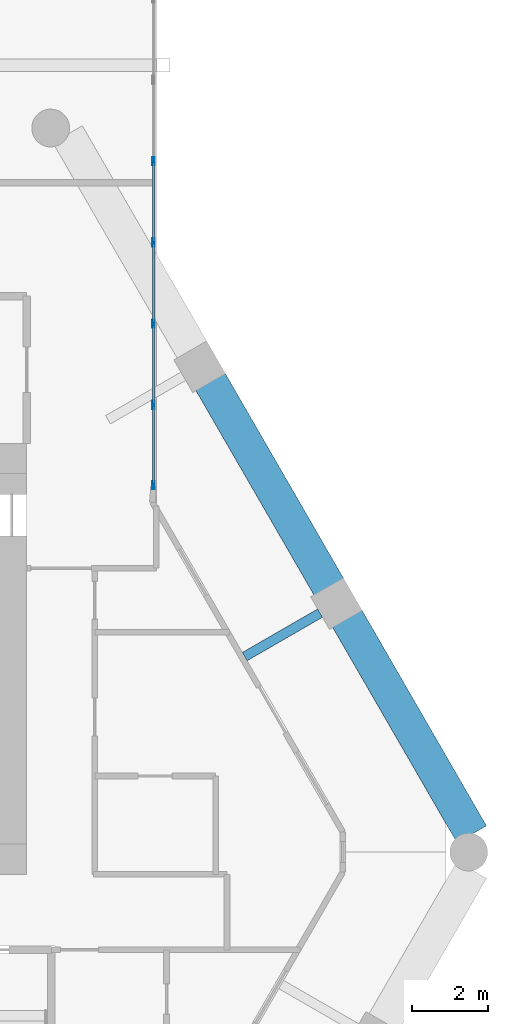
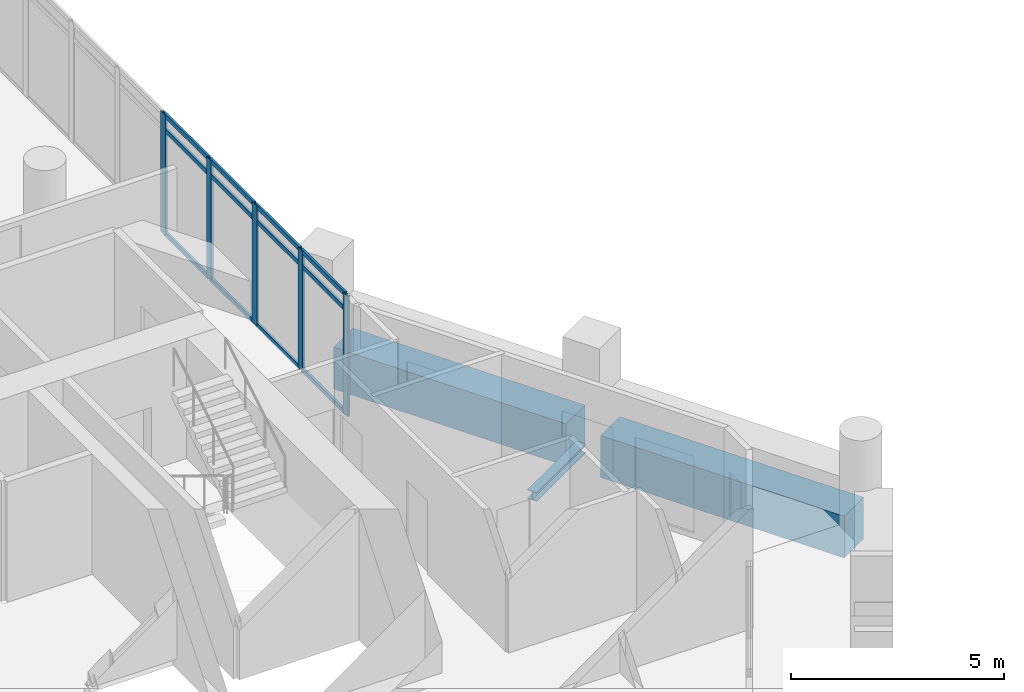
# One storey, part 20 of 29: 17 members, 3 beams, 1 element without a shape of its own.
"""IFC4 building model written with IfcOpenShell, lengths in metres."""

from ifc_helpers import new_model, si_unit, direction, frame, origin, origin_2d, place, context, subcontext, project, spatial, rectangle, hollow_rectangle, i_section, extrude, material, material_profile, profile_set, type_object, element, aggregate, save


model = new_model("IFC4")

# Units and contexts
model_context = context("Model", 3, precision=1e-05, world=origin(), true_north=direction((0.0, 1.0)))
body_context = subcontext(model_context, "Body", "Model", "MODEL_VIEW")
ifc_project = project(units=[si_unit("LENGTHUNIT", "METRE"), si_unit("AREAUNIT", "SQUARE_METRE"), si_unit("VOLUMEUNIT", "CUBIC_METRE"), si_unit("PLANEANGLEUNIT", "RADIAN"), si_unit("MASSUNIT", "GRAM", prefix="KILO")], contexts=[model_context])

# Site, building, storey
site_placement = place(None, origin())
site = spatial("IfcSite", under=ifc_project, at=site_placement, CompositionType="ELEMENT")
building_placement = place(site_placement, origin())
building = spatial("IfcBuilding", under=site, at=building_placement, Name="Ostrander Bayou Hotel Tower", CompositionType="ELEMENT")
storey_placement = place(building_placement, frame((0.0, 0.0, 202.0)))
storey = spatial("IfcBuildingStorey", under=building, at=storey_placement, Name="L50", CompositionType="ELEMENT", Elevation=202.0)

# Curtain wall, members
ifc_material_1 = material(Name="Aluminium and clear glass", Category="aluminium")
curtain_wall_type = type_object("IfcCurtainWallType", Name="CW-BAR glazed wall", PredefinedType="NOTDEFINED", material=ifc_material_1)
curtain_wall_placement = place(storey_placement, origin())
curtain_wall = element("IfcCurtainWall", 1, at=curtain_wall_placement, inside=storey, type_object=curtain_wall_type, Name="CW-BAR L50:SB4N:W", PredefinedType="NOTDEFINED")
ifc_material_2 = material(Name="Aluminium", Category="aluminium")
ifc_material_profile_1 = material_profile(ifc_material_2, hollow_rectangle(XDim=0.06005859375, YDim=0.219970703125, WallThickness=0.00390625, at=origin_2d()))
ifc_profile_set_1 = profile_set([ifc_material_profile_1], Name="Aluminium")
member_type_1 = type_object("IfcMemberType", Name="CW-BR mullion 60 x 220 mm", PredefinedType="MULLION", material=ifc_profile_set_1)
member_1_placement = place(storey_placement, frame((11.857177734375, 8.594482421875, 0.0), z_axis=(0.0, 0.0, 1.0), x_axis=(-1.0, 0.0, 0.0)))
member_1 = element("IfcMember", 2, at=member_1_placement, type_object=member_type_1, Name="CW-BAR mullion 1", PredefinedType="MULLION", context=body_context, shape_type="SweptSolid", body=[
    extrude(hollow_rectangle(XDim=0.06005859375, YDim=0.219970703125, WallThickness=0.00390625, at=origin_2d()), origin(), (0.0, 0.0, 1.0), 3.449951171875),
])
member_2_placement = place(storey_placement, frame((11.857177734375, 10.714599609375, 0.0), z_axis=(0.0, 0.0, 1.0), x_axis=(-1.0, 0.0, 0.0)))
member_2 = element("IfcMember", 3, at=member_2_placement, type_object=member_type_1, Name="CW-BAR mullion 2", PredefinedType="MULLION", context=body_context, shape_type="SweptSolid", body=[
    extrude(hollow_rectangle(XDim=0.06005859375, YDim=0.219970703125, WallThickness=0.00390625, at=origin_2d()), origin(), (0.0, 0.0, 1.0), 3.449951171875),
])
member_3_placement = place(storey_placement, frame((11.857177734375, 12.86474609375, 0.0), z_axis=(0.0, 0.0, 1.0), x_axis=(-1.0, 0.0, 0.0)))
member_3 = element("IfcMember", 4, at=member_3_placement, type_object=member_type_1, Name="CW-BAR mullion 3", PredefinedType="MULLION", context=body_context, shape_type="SweptSolid", body=[
    extrude(hollow_rectangle(XDim=0.06005859375, YDim=0.219970703125, WallThickness=0.00390625, at=origin_2d()), origin(), (0.0, 0.0, 1.0), 3.449951171875),
])
member_4_placement = place(storey_placement, frame((11.857177734375, 15.014892578125, 0.0), z_axis=(0.0, 0.0, 1.0), x_axis=(-1.0, 0.0, 0.0)))
member_4 = element("IfcMember", 5, at=member_4_placement, type_object=member_type_1, Name="CW-BAR mullion 4", PredefinedType="MULLION", context=body_context, shape_type="SweptSolid", body=[
    extrude(hollow_rectangle(XDim=0.06005859375, YDim=0.219970703125, WallThickness=0.00390625, at=origin_2d()), origin(), (0.0, 0.0, 1.0), 3.449951171875),
])
member_5_placement = place(storey_placement, frame((11.857177734375, 17.1650390625, 0.0), z_axis=(0.0, 0.0, 1.0), x_axis=(-1.0, 0.0, 0.0)))
member_5 = element("IfcMember", 6, at=member_5_placement, type_object=member_type_1, Name="CW-BAR mullion 5", PredefinedType="MULLION", context=body_context, shape_type="SweptSolid", body=[
    extrude(hollow_rectangle(XDim=0.06005859375, YDim=0.219970703125, WallThickness=0.00390625, at=origin_2d()), origin(), (0.0, 0.0, 1.0), 3.449951171875),
])
ifc_material_3 = material(Name="Aluminium", Category="aluminium")
ifc_material_profile_2 = material_profile(ifc_material_3, hollow_rectangle(XDim=0.06005859375, YDim=0.1298828125, WallThickness=0.00390625, at=origin_2d()))
ifc_profile_set_2 = profile_set([ifc_material_profile_2], Name="Aluminium")
member_type_2 = type_object("IfcMemberType", Name="CW-BR transom 60 x 130 mm", PredefinedType="USERDEFINED", material=ifc_profile_set_2)
member_6_placement = place(storey_placement, frame((11.857177734375, 8.62451171875, 0.030029296875), z_axis=(0.0, 1.0, 0.0), x_axis=(-1.0, 0.0, 0.0)))
member_6 = element("IfcMember", 7, at=member_6_placement, type_object=member_type_2, Name="CW-BAR transom 1.1", ObjectType="TRANSOM", PredefinedType="USERDEFINED", context=body_context, shape_type="SweptSolid", body=[
    extrude(hollow_rectangle(XDim=0.06005859375, YDim=0.1298828125, WallThickness=0.00390625, at=origin_2d()), origin(), (0.0, 0.0, 1.0), 2.06005859375),
])
member_7_placement = place(storey_placement, frame((11.857177734375, 8.62451171875, 3.0), z_axis=(0.0, 1.0, 0.0), x_axis=(-1.0, 0.0, 0.0)))
member_7 = element("IfcMember", 8, at=member_7_placement, type_object=member_type_2, Name="CW-BAR transom 1.2", ObjectType="TRANSOM", PredefinedType="USERDEFINED", context=body_context, shape_type="SweptSolid", body=[
    extrude(hollow_rectangle(XDim=0.06005859375, YDim=0.1298828125, WallThickness=0.00390625, at=origin_2d()), origin(), (0.0, 0.0, 1.0), 2.06005859375),
])
member_8_placement = place(storey_placement, frame((11.857177734375, 8.62451171875, 3.419921875), z_axis=(0.0, 1.0, 0.0), x_axis=(-1.0, 0.0, 0.0)))
member_8 = element("IfcMember", 9, at=member_8_placement, type_object=member_type_2, Name="CW-BAR transom 1.3", ObjectType="TRANSOM", PredefinedType="USERDEFINED", context=body_context, shape_type="SweptSolid", body=[
    extrude(hollow_rectangle(XDim=0.06005859375, YDim=0.1298828125, WallThickness=0.00390625, at=origin_2d()), origin(), (0.0, 0.0, 1.0), 2.06005859375),
])
member_9_placement = place(storey_placement, frame((11.857177734375, 10.74462890625, 0.030029296875), z_axis=(0.0, 1.0, 0.0), x_axis=(-1.0, 0.0, 0.0)))
member_9 = element("IfcMember", 10, at=member_9_placement, type_object=member_type_2, Name="CW-BAR transom 2.1", ObjectType="TRANSOM", PredefinedType="USERDEFINED", context=body_context, shape_type="SweptSolid", body=[
    extrude(hollow_rectangle(XDim=0.06005859375, YDim=0.1298828125, WallThickness=0.00390625, at=origin_2d()), origin(), (0.0, 0.0, 1.0), 2.090087890625),
])
member_10_placement = place(storey_placement, frame((11.857177734375, 10.74462890625, 3.0), z_axis=(0.0, 1.0, 0.0), x_axis=(-1.0, 0.0, 0.0)))
member_10 = element("IfcMember", 11, at=member_10_placement, type_object=member_type_2, Name="CW-BAR transom 2.2", ObjectType="TRANSOM", PredefinedType="USERDEFINED", context=body_context, shape_type="SweptSolid", body=[
    extrude(hollow_rectangle(XDim=0.06005859375, YDim=0.1298828125, WallThickness=0.00390625, at=origin_2d()), origin(), (0.0, 0.0, 1.0), 2.090087890625),
])
member_11_placement = place(storey_placement, frame((11.857177734375, 10.74462890625, 3.419921875), z_axis=(0.0, 1.0, 0.0), x_axis=(-1.0, 0.0, 0.0)))
member_11 = element("IfcMember", 12, at=member_11_placement, type_object=member_type_2, Name="CW-BAR transom 2.3", ObjectType="TRANSOM", PredefinedType="USERDEFINED", context=body_context, shape_type="SweptSolid", body=[
    extrude(hollow_rectangle(XDim=0.06005859375, YDim=0.1298828125, WallThickness=0.00390625, at=origin_2d()), origin(), (0.0, 0.0, 1.0), 2.090087890625),
])
member_12_placement = place(storey_placement, frame((11.857177734375, 12.894775390625, 0.030029296875), z_axis=(0.0, 1.0, 0.0), x_axis=(-1.0, 0.0, 0.0)))
member_12 = element("IfcMember", 13, at=member_12_placement, type_object=member_type_2, Name="CW-BAR transom 3.1", ObjectType="TRANSOM", PredefinedType="USERDEFINED", context=body_context, shape_type="SweptSolid", body=[
    extrude(hollow_rectangle(XDim=0.06005859375, YDim=0.1298828125, WallThickness=0.00390625, at=origin_2d()), origin(), (0.0, 0.0, 1.0), 2.090087890625),
])
member_13_placement = place(storey_placement, frame((11.857177734375, 12.894775390625, 3.0), z_axis=(0.0, 1.0, 0.0), x_axis=(-1.0, 0.0, 0.0)))
member_13 = element("IfcMember", 14, at=member_13_placement, type_object=member_type_2, Name="CW-BAR transom 3.2", ObjectType="TRANSOM", PredefinedType="USERDEFINED", context=body_context, shape_type="SweptSolid", body=[
    extrude(hollow_rectangle(XDim=0.06005859375, YDim=0.1298828125, WallThickness=0.00390625, at=origin_2d()), origin(), (0.0, 0.0, 1.0), 2.090087890625),
])
member_14_placement = place(storey_placement, frame((11.857177734375, 12.894775390625, 3.419921875), z_axis=(0.0, 1.0, 0.0), x_axis=(-1.0, 0.0, 0.0)))
member_14 = element("IfcMember", 15, at=member_14_placement, type_object=member_type_2, Name="CW-BAR transom 3.3", ObjectType="TRANSOM", PredefinedType="USERDEFINED", context=body_context, shape_type="SweptSolid", body=[
    extrude(hollow_rectangle(XDim=0.06005859375, YDim=0.1298828125, WallThickness=0.00390625, at=origin_2d()), origin(), (0.0, 0.0, 1.0), 2.090087890625),
])
member_15_placement = place(storey_placement, frame((11.857177734375, 15.044921875, 0.030029296875), z_axis=(0.0, 1.0, 0.0), x_axis=(-1.0, 0.0, 0.0)))
member_15 = element("IfcMember", 16, at=member_15_placement, type_object=member_type_2, Name="CW-BAR transom 4.1", ObjectType="TRANSOM", PredefinedType="USERDEFINED", context=body_context, shape_type="SweptSolid", body=[
    extrude(hollow_rectangle(XDim=0.06005859375, YDim=0.1298828125, WallThickness=0.00390625, at=origin_2d()), origin(), (0.0, 0.0, 1.0), 2.09033203125),
])
member_16_placement = place(storey_placement, frame((11.857177734375, 15.044921875, 3.0), z_axis=(0.0, 1.0, 0.0), x_axis=(-1.0, 0.0, 0.0)))
member_16 = element("IfcMember", 17, at=member_16_placement, type_object=member_type_2, Name="CW-BAR transom 4.2", ObjectType="TRANSOM", PredefinedType="USERDEFINED", context=body_context, shape_type="SweptSolid", body=[
    extrude(hollow_rectangle(XDim=0.06005859375, YDim=0.1298828125, WallThickness=0.00390625, at=origin_2d()), origin(), (0.0, 0.0, 1.0), 2.09033203125),
])
member_17_placement = place(storey_placement, frame((11.857177734375, 15.044921875, 3.419921875), z_axis=(0.0, 1.0, 0.0), x_axis=(-1.0, 0.0, 0.0)))
member_17 = element("IfcMember", 18, at=member_17_placement, type_object=member_type_2, Name="CW-BAR transom 4.3", ObjectType="TRANSOM", PredefinedType="USERDEFINED", context=body_context, shape_type="SweptSolid", body=[
    extrude(hollow_rectangle(XDim=0.06005859375, YDim=0.1298828125, WallThickness=0.00390625, at=origin_2d()), origin(), (0.0, 0.0, 1.0), 2.09033203125),
])
aggregate(curtain_wall, [member_1, member_2, member_3, member_4, member_5, member_6, member_7, member_8, member_9, member_10, member_11, member_12, member_13, member_14, member_15, member_16, member_17])

# Beams
ifc_material_4 = material(Name="Steel ASTM A992", Category="steel")
ifc_material_profile_3 = material_profile(ifc_material_4, i_section(OverallWidth=0.25390625, OverallDepth=0.25341796875, WebThickness=0.008544921875, FlangeThickness=0.01416015625, at=origin_2d()))
ifc_profile_set_3 = profile_set([ifc_material_profile_3], Name="Steel ASTM A992")
beam_type_1 = type_object("IfcBeamType", Name="LB2 loggia bracket W10x49", PredefinedType="BEAM", material=ifc_profile_set_3)
beam_1_placement = place(storey_placement, frame((16.260498046875, 5.210205078125, -0.4267578125), z_axis=(-0.86602648383, -0.499998129301, 0.0), x_axis=(0.499998129301, -0.86602648383, 0.0)))
element("IfcBeam", 19, at=beam_1_placement, inside=storey, type_object=beam_type_1, Name="LB2 L50 NE1", PredefinedType="BEAM", context=body_context, shape_type="SweptSolid", body=[
    extrude(i_section(OverallWidth=0.25390625, OverallDepth=0.25341796875, WebThickness=0.008544921875, FlangeThickness=0.01416015625, at=origin_2d()), origin(), (0.0, 0.0, 1.0), 2.2998046875),
])
ifc_material_5 = material(Name="Concrete f'c 60 MPa", Category="concrete")
ifc_material_profile_4 = material_profile(ifc_material_5, rectangle(XDim=0.89990234375, YDim=1.199951171875, at=origin_2d()))
ifc_profile_set_4 = profile_set([ifc_material_profile_4], Name="Concrete f'c 60 MPa")
beam_type_2 = type_object("IfcBeamType", Name="SP3 spandrel beam 900 x 1200 mm f'c 60 MPa", PredefinedType="SPANDREL", material=ifc_profile_set_4)
beam_2_placement = place(storey_placement, frame((20.275146484375, -0.64306640625, -0.60009765625), z_axis=(-0.500010360262, 0.866019422202, 0.0), x_axis=(-0.866019422202, -0.500010360262, 0.0)))
element("IfcBeam", 20, at=beam_2_placement, inside=storey, type_object=beam_type_2, Name="SP3 L50 NE-1", PredefinedType="SPANDREL", context=body_context, shape_type="SweptSolid", body=[
    extrude(rectangle(XDim=0.89990234375, YDim=1.199951171875, at=origin_2d()), origin(), (0.0, 0.0, 1.0), 6.606201171875),
])
beam_3_placement = place(storey_placement, frame((16.501953125, 5.892333984375, -0.60009765625), z_axis=(-0.500013351051, 0.866017695414, 0.0), x_axis=(-0.866017695414, -0.500013351051, 0.0)))
element("IfcBeam", 21, at=beam_3_placement, inside=storey, type_object=beam_type_2, Name="SP3 L50 NE-2", PredefinedType="SPANDREL", context=body_context, shape_type="SweptSolid", body=[
    extrude(rectangle(XDim=0.89990234375, YDim=1.199951171875, at=origin_2d()), origin(), (0.0, 0.0, 1.0), 6.296142578125),
])

save(model, "model.ifc")
